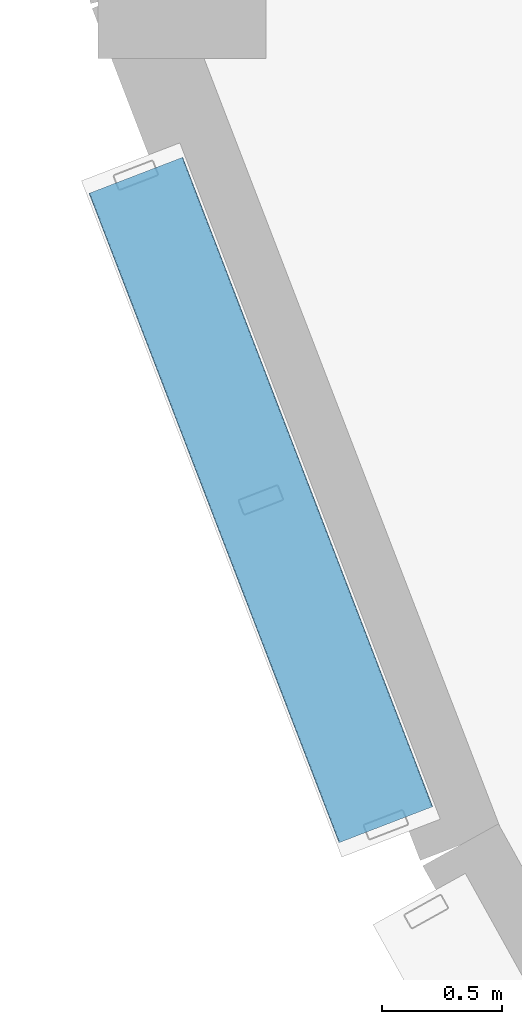
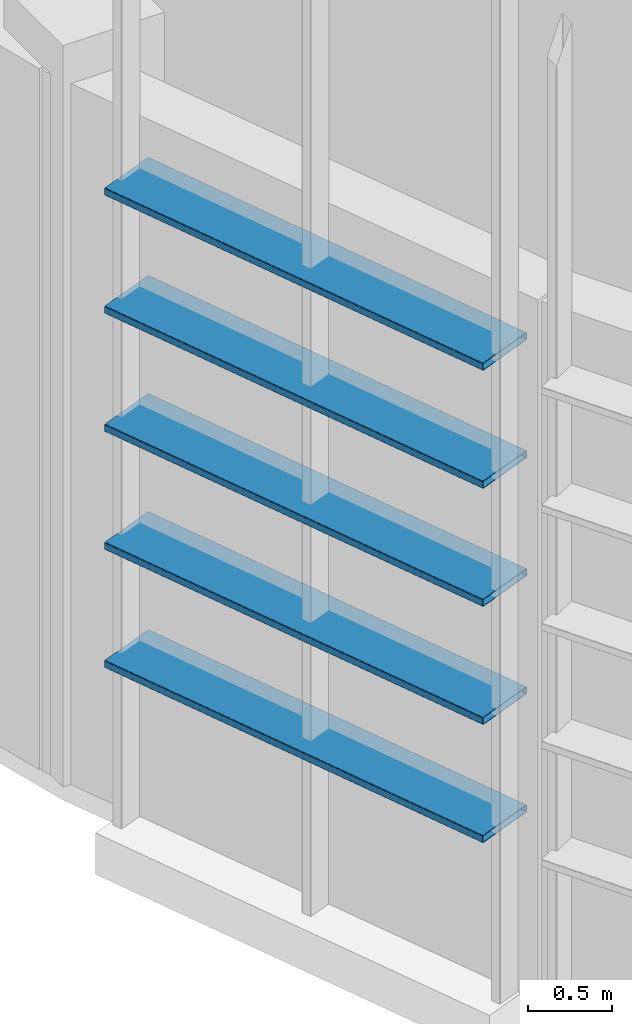
# One storey, part 164 of 372: 5 members.
"""IFC4 building model written with IfcOpenShell, lengths in metres."""

from ifc_helpers import new_model, si_unit, direction, frame, origin, origin_2d, place, context, subcontext, project, spatial, hollow_rectangle, extrude, material, material_profile, profile_set, type_object, element, save


model = new_model("IFC4")

# Units and contexts
model_context = context("Model", 3, precision=1e-05, world=origin(), true_north=direction((0.0, 1.0)))
body_context = subcontext(model_context, "Body", "Model", "MODEL_VIEW")
ifc_project = project(units=[si_unit("LENGTHUNIT", "METRE"), si_unit("AREAUNIT", "SQUARE_METRE"), si_unit("VOLUMEUNIT", "CUBIC_METRE"), si_unit("PLANEANGLEUNIT", "RADIAN"), si_unit("MASSUNIT", "GRAM", prefix="KILO")], contexts=[model_context])

# Site, building, storey
site_placement = place(None, origin())
site = spatial("IfcSite", under=ifc_project, at=site_placement, CompositionType="ELEMENT")
building_placement = place(site_placement, origin())
building = spatial("IfcBuilding", under=site, at=building_placement, Name="Kaelora Sail Theatre", CompositionType="ELEMENT")
storey_placement = place(building_placement, origin())
storey = spatial("IfcBuildingStorey", under=building, at=storey_placement, Name="L00", CompositionType="ELEMENT", Elevation=0.0)

# Members
ifc_material = material(Name="Anodised aluminium 6063-T6", Category="aluminium")
ifc_material_profile = material_profile(ifc_material, hollow_rectangle(XDim=0.419921875, YDim=0.054931640625, WallThickness=0.00390625, InnerFilletRadius=0.00390625, OuterFilletRadius=0.008056640625, at=origin_2d()), Name="LOUVRE 420x55x4")
ifc_profile_set = profile_set([ifc_material_profile], Name="Anodised aluminium 6063-T6")
member_type = type_object("IfcMemberType", Name="ARC-MEM-LVR-420", PredefinedType="USERDEFINED", material=ifc_profile_set)
for number, where, z_axis, x_axis, name in (
    (1, (79.73095703125, 40.060546875, 1.25), (-0.359300533741, 0.93322190633, 0.0), (-0.93322190633, -0.359300533741, 0.0), "Studio Theatre Sail Drum horizontal solar louvre C16-01"),
    (2, (79.73095703125, 40.060546875, 2.110107421875), (-0.359300533741, 0.93322190633, 0.0), (-0.93322190633, -0.359300533741, 0.0), "Studio Theatre Sail Drum horizontal solar louvre C16-02"),
    (3, (79.73095703125, 40.060546875, 2.969970703125), (-0.359300533741, 0.93322190633, 0.0), (-0.93322190633, -0.359300533741, 0.0), "Studio Theatre Sail Drum horizontal solar louvre C16-03"),
    (4, (79.73095703125, 40.060546875, 3.830078125), (-0.359300533741, 0.93322190633, 0.0), (-0.93322190633, -0.359300533741, 0.0), "Studio Theatre Sail Drum horizontal solar louvre C16-04"),
    (5, (79.73095703125, 40.060546875, 4.68994140625), (-0.359300533741, 0.93322190633, 0.0), (-0.93322190633, -0.359300533741, 0.0), "Studio Theatre Sail Drum horizontal solar louvre C16-05"),
):
    element("IfcMember", number, at=place(storey_placement, frame(where, z_axis=z_axis, x_axis=x_axis)), inside=storey, type_object=member_type, Name=name, ObjectType="LOUVRE", PredefinedType="USERDEFINED", context=body_context, shape_type="SweptSolid", body=[
        extrude(hollow_rectangle(XDim=0.419921875, YDim=0.054931640625, WallThickness=0.00390625, InnerFilletRadius=0.00390625, OuterFilletRadius=0.008056640625, at=origin_2d()), origin(), (0.0, 0.0, 1.0), 2.900634765625),
    ])

save(model, "model.ifc")
